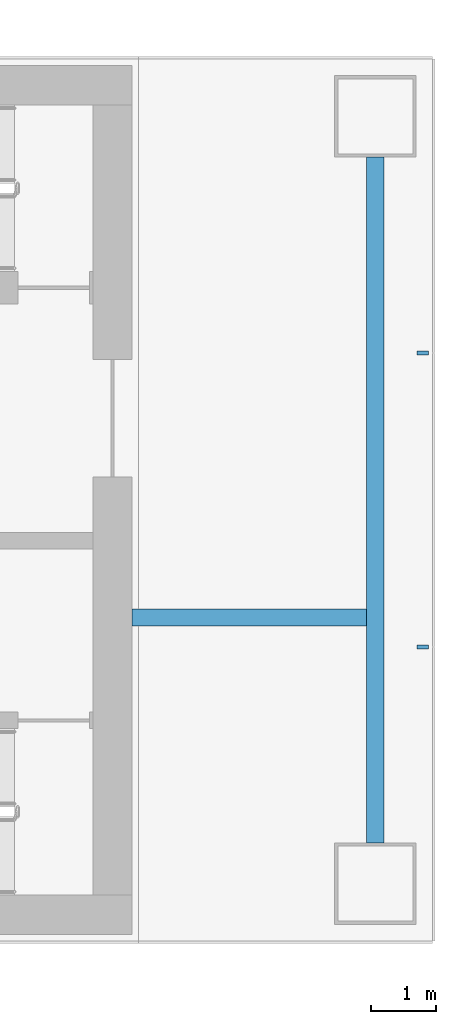
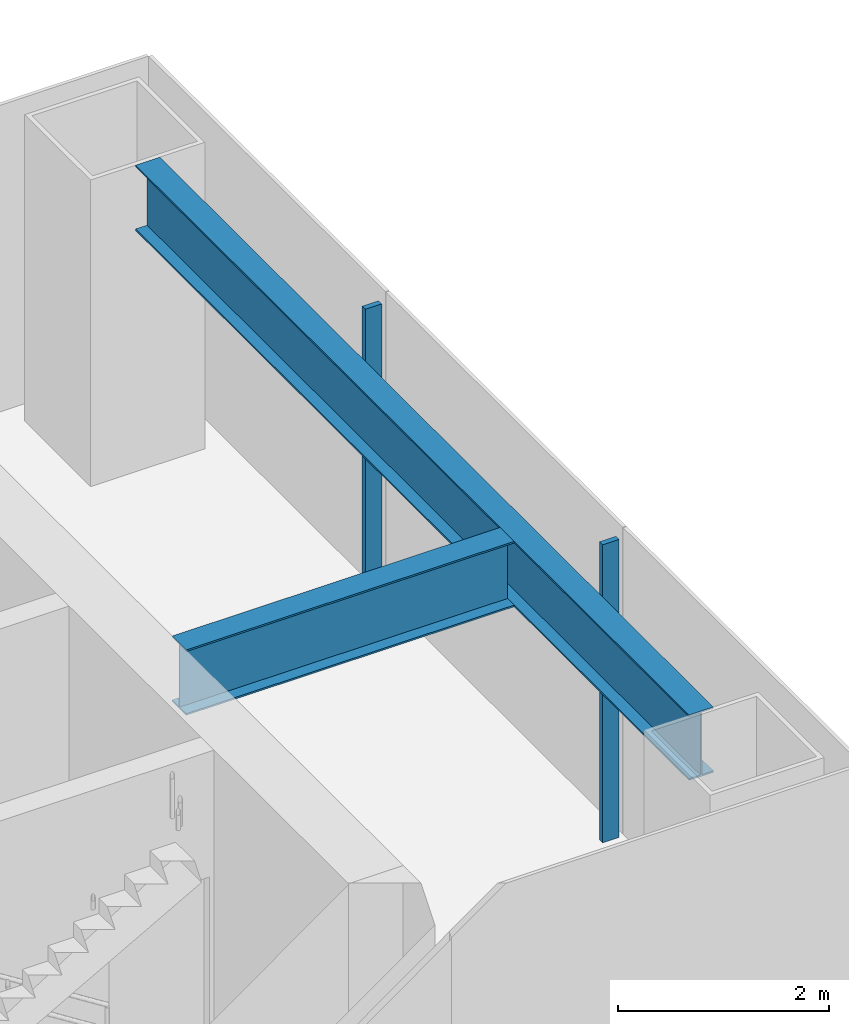
# One storey, part 6 of 19: 2 beams, 2 members, 1 element without a shape of its own.
"""IFC4 building model written with IfcOpenShell, lengths in metres."""

from ifc_helpers import new_model, si_unit, direction, frame, origin, origin_2d, place, context, subcontext, project, spatial, rectangle, i_section, extrude, material, layer, layer_set, material_profile, profile_set, type_object, element, aggregate, save


model = new_model("IFC4")

# Units and contexts
model_context = context("Model", 3, precision=1e-05, world=origin(), true_north=direction((0.0, 1.0)))
body_context = subcontext(model_context, "Body", "Model", "MODEL_VIEW")
ifc_project = project(units=[si_unit("LENGTHUNIT", "METRE"), si_unit("AREAUNIT", "SQUARE_METRE"), si_unit("VOLUMEUNIT", "CUBIC_METRE"), si_unit("PLANEANGLEUNIT", "RADIAN"), si_unit("MASSUNIT", "GRAM", prefix="KILO")], contexts=[model_context])

# Site, building, storey
site_placement = place(None, origin())
site = spatial("IfcSite", under=ifc_project, at=site_placement, CompositionType="ELEMENT")
building_placement = place(site_placement, origin())
building = spatial("IfcBuilding", under=site, at=building_placement, Name="Shamsa Quay Exchange Towers", CompositionType="ELEMENT")
storey_placement = place(building_placement, frame((0.0, 0.0, 97.5)))
storey = spatial("IfcBuildingStorey", under=building, at=storey_placement, Name="L22", CompositionType="ELEMENT", Elevation=97.5)

# Curtain wall, members
ifc_material_1 = material(Name="Aluminium EN AW-6063 T6, black anodised", Category="aluminium")
ifc_layer = layer(ifc_material_1, 0.280029296875)
ifc_layer_set = layer_set([ifc_layer], Name="CW-1 UNITISED VISION GLASS")
curtain_wall_type = type_object("IfcCurtainWallType", Name="CW-1 UNITISED VISION GLASS", PredefinedType="NOTDEFINED", material=ifc_layer_set)
curtain_wall_placement = place(storey_placement, origin())
curtain_wall = element("IfcCurtainWall", 1, at=curtain_wall_placement, inside=storey, type_object=curtain_wall_type, Name="CW1 T2-END-V- L22", PredefinedType="NOTDEFINED")
ifc_material_profile_1 = material_profile(ifc_material_1, rectangle(XDim=0.179931640625, YDim=0.06005859375, at=origin_2d()), Name="MU60x180")
ifc_profile_set_1 = profile_set([ifc_material_profile_1], Name="Aluminium EN AW-6063 T6, black anodised")
member_type = type_object("IfcMemberType", Name="CW1 MULLION 60x180", PredefinedType="MULLION", material=ifc_profile_set_1)
member_1_placement = place(storey_placement, frame((58.35009765625, -2.25, 0.0), z_axis=(0.0, 0.0, 1.0), x_axis=(-1.0, 0.0, 0.0)))
member_1 = element("IfcMember", 2, at=member_1_placement, type_object=member_type, Name="CW1 mullion", PredefinedType="MULLION", context=body_context, shape_type="SweptSolid", body=[
    extrude(rectangle(XDim=0.179931640625, YDim=0.06005859375, at=origin_2d()), origin(), (0.0, 0.0, 1.0), 3.449951171875),
])
member_2_placement = place(storey_placement, frame((58.35009765625, 2.25, 0.0), z_axis=(0.0, 0.0, 1.0), x_axis=(-1.0, 0.0, 0.0)))
member_2 = element("IfcMember", 3, at=member_2_placement, type_object=member_type, Name="CW1 mullion", PredefinedType="MULLION", context=body_context, shape_type="SweptSolid", body=[
    extrude(rectangle(XDim=0.179931640625, YDim=0.06005859375, at=origin_2d()), origin(), (0.0, 0.0, 1.0), 3.449951171875),
])
aggregate(curtain_wall, [member_1, member_2])

# Beams
ifc_material_2 = material(Name="Steel S355", Category="steel")
ifc_material_profile_2 = material_profile(ifc_material_2, i_section(OverallWidth=0.26611328125, OverallDepth=0.7578125, WebThickness=0.013916015625, FlangeThickness=0.019287109375, at=origin_2d()), Name="W30x108")
ifc_profile_set_2 = profile_set([ifc_material_profile_2], Name="Steel S355")
beam_type = type_object("IfcBeamType", Name="End-zone beam W30x108", PredefinedType="BEAM", material=ifc_profile_set_2)
beam_1_placement = place(storey_placement, frame((57.625, -5.25, 3.171142578125), z_axis=(0.0, 1.0, 0.0), x_axis=(-1.0, 0.0, 0.0)))
element("IfcBeam", 4, at=beam_1_placement, inside=storey, type_object=beam_type, Name="End beam T2 V- end zone L22", PredefinedType="BEAM", context=body_context, shape_type="SweptSolid", body=[
    extrude(i_section(OverallWidth=0.26611328125, OverallDepth=0.7578125, WebThickness=0.013916015625, FlangeThickness=0.019287109375, at=origin_2d()), origin(), (0.0, 0.0, 1.0), 10.5),
])
beam_2_placement = place(storey_placement, frame((53.89990234375, -1.800048828125, 3.171142578125), z_axis=(1.0, 0.0, 0.0), x_axis=(0.0, 1.0, 0.0)))
element("IfcBeam", 5, at=beam_2_placement, inside=storey, type_object=beam_type, Name="Spine beam T2 V- end zone L22", PredefinedType="BEAM", context=body_context, shape_type="SweptSolid", body=[
    extrude(i_section(OverallWidth=0.26611328125, OverallDepth=0.7578125, WebThickness=0.013916015625, FlangeThickness=0.019287109375, at=origin_2d()), origin(), (0.0, 0.0, 1.0), 3.592041015625),
])

save(model, "model.ifc")
